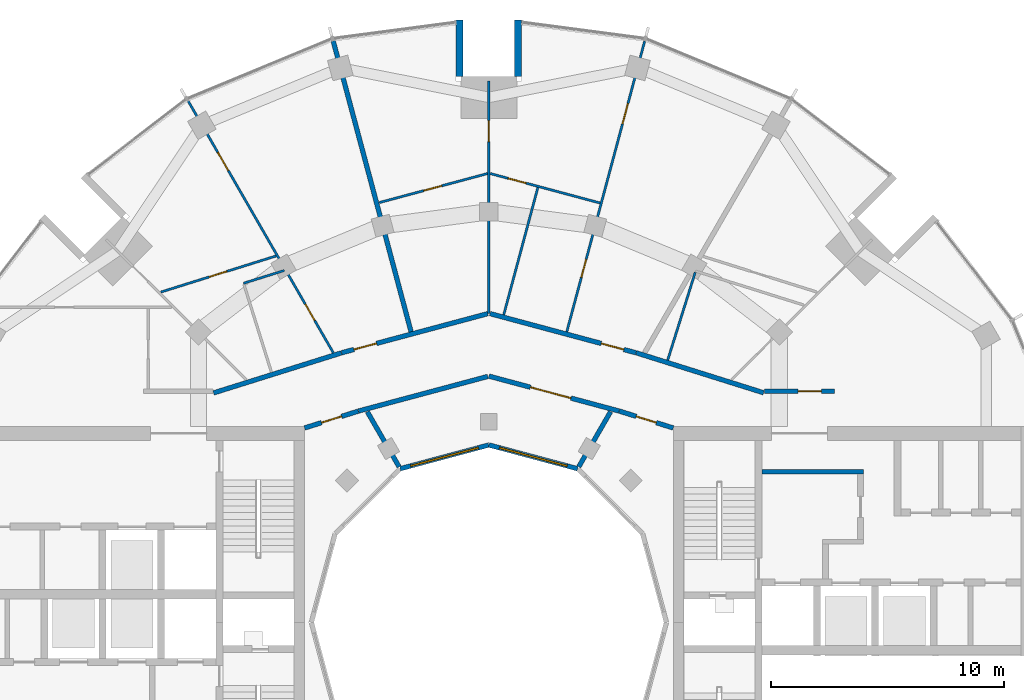
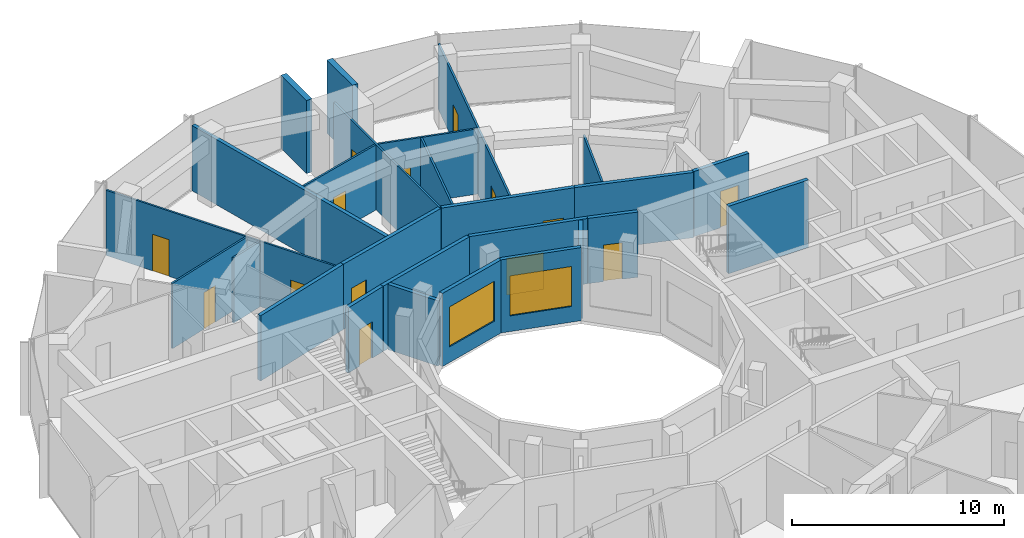
# One storey, part 12 of 15: 26 walls, 14 doors, 2 windows, 16 openings.
"""IFC4 building model written with IfcOpenShell, lengths in metres."""

from ifc_helpers import new_model, si_unit, direction, frame, frame_2d, origin, place, context, subcontext, project, spatial, rectangle, extrude, material, layer, layer_set, type_object, element, fill, save


model = new_model("IFC4")

# Units and contexts
model_context = context("Model", 3, precision=1e-05, world=origin(), true_north=direction((0.0, 1.0)))
body_context = subcontext(model_context, "Body", "Model", "MODEL_VIEW")
ifc_project = project(units=[si_unit("LENGTHUNIT", "METRE"), si_unit("AREAUNIT", "SQUARE_METRE"), si_unit("VOLUMEUNIT", "CUBIC_METRE"), si_unit("PLANEANGLEUNIT", "RADIAN"), si_unit("MASSUNIT", "GRAM", prefix="KILO")], contexts=[model_context])

# Site, building, storey
site_placement = place(None, origin())
site = spatial("IfcSite", under=ifc_project, at=site_placement, CompositionType="ELEMENT")
building_placement = place(site_placement, origin())
building = spatial("IfcBuilding", under=site, at=building_placement, Name="Torre Brocal", CompositionType="ELEMENT")
storey_placement = place(building_placement, frame((0.0, 0.0, 249.89990234375)))
storey = spatial("IfcBuildingStorey", under=building, at=storey_placement, Name="L57", CompositionType="ELEMENT", Elevation=249.89990234375)

# Walls
ifc_material_1 = material(Name="Concrete C60", Category="concrete")
ifc_layer_1 = layer(ifc_material_1, 0.199951171875)
ifc_layer_set_1 = layer_set([ifc_layer_1], Name="Concrete C60")
wall_type_1 = type_object("IfcWallType", Name="CORE WALL 200 C60", PredefinedType="SHEAR", material=ifc_layer_set_1)
wall_1_placement = place(storey_placement, frame((91.699951171875, 81.449951171875, 0.0), z_axis=(0.0, 0.0, 1.0), x_axis=(1.0, 0.0, 0.0)))
element("IfcWall", 1, at=wall_1_placement, inside=storey, type_object=wall_type_1, Name="Wall CW200-60", PredefinedType="SHEAR", context=body_context, shape_type="SweptSolid", body=[
    extrude(rectangle(XDim=4.35009765625, YDim=0.199951171875, at=frame_2d((2.175048828125, 0.0))), origin(), (0.0, 0.0, 1.0), 3.880126953125),
])
ifc_material_2 = material(Name="Concrete C60", Category="concrete")
ifc_layer_2 = layer(ifc_material_2, 0.300048828125)
ifc_layer_set_2 = layer_set([ifc_layer_2], Name="Concrete C60")
wall_type_2 = type_object("IfcWallType", Name="NOTCH RETURN WALL 300 C60", PredefinedType="NOTDEFINED", material=ifc_layer_set_2)
for number, where, z_axis, x_axis, name in (
    (2, (81.25, 98.39990234375, 0.0), (0.0, 0.0, 1.0), (0.0, 1.0, 0.0), "NOTCH RETURN WALL"),
    (3, (78.75, 98.39990234375, 0.0), (0.0, 0.0, 1.0), (0.0, 1.0, 0.0), "NOTCH RETURN WALL"),
):
    element("IfcWall", number, at=place(storey_placement, frame(where, z_axis=z_axis, x_axis=x_axis)), inside=storey, type_object=wall_type_2, Name=name, PredefinedType="NOTDEFINED", context=body_context, shape_type="SweptSolid", body=[
        extrude(rectangle(XDim=2.415771484375, YDim=0.300048828125, at=frame_2d((1.2080078125, 0.0))), origin(), (0.0, 0.0, 1.0), 4.2001953125),
    ])

# Wall, opening, door
ifc_material_3 = material(Name="Gypsum board", Category="Gypsum")
ifc_layer_3 = layer(ifc_material_3, 0.10009765625)
ifc_layer_set_3 = layer_set([ifc_layer_3], Name="Gypsum board")
wall_type_3 = type_object("IfcWallType", Name="PARTITION 100", PredefinedType="PARTITIONING", material=ifc_layer_set_3)
wall_2_placement = place(storey_placement, frame((65.9443359375, 89.156982421875, 0.0), z_axis=(0.0, 0.0, 1.0), x_axis=(0.954238484697, 0.299046675828, 0.0)))
wall_2 = element("IfcWall", 4, at=wall_2_placement, inside=storey, type_object=wall_type_3, Name="BATHROOM WALL", PredefinedType="PARTITIONING", context=body_context, shape_type="SweptSolid", body=[
    extrude(rectangle(XDim=5.16943359375, YDim=0.10009765625, at=frame_2d((2.584716796875, 0.0))), origin(), (0.0, 0.0, 1.0), 3.75),
])
opening_1_placement = place(wall_2_placement, frame((2.169921875, 0.0, 0.0)))
opening_1 = element("IfcOpeningElement", 5, at=opening_1_placement, cuts=wall_2, Name="Opening B04-D13", PredefinedType="OPENING", context=body_context, shape_type="SweptSolid", body=[
    extrude(rectangle(XDim=0.800048828125, YDim=2.10009765625, at=frame_2d((0.39990234375, 1.050048828125))), frame((0.0, 0.06005859375, 0.0), z_axis=(0.0, -1.0, 0.0), x_axis=(1.0, 0.0, 0.0)), (0.0, 0.0, 1.0), 0.1201171875),
])
ifc_material_4 = material(Name="Timber", Category="wood")
door_type_1 = type_object("IfcDoorType", Name="BATHROOM DOOR 800X2100", OperationType="SINGLE_SWING_LEFT", PredefinedType="DOOR", material=ifc_material_4)
door_1_placement = place(opening_1_placement, frame((0.800048828125, 0.0, 0.0), z_axis=(0.0, 0.0, 1.0), x_axis=(-1.0, 0.0, 0.0)))
door_1 = element("IfcDoor", 6, at=door_1_placement, inside=storey, type_object=door_type_1, Name="B04-D13", OperationType="SINGLE_SWING_RIGHT", OverallHeight=2.10009765625, OverallWidth=0.800048828125, PredefinedType="DOOR", context=body_context, shape_type="SweptSolid", body=[
    extrude(rectangle(XDim=0.800048828125, YDim=2.10009765625, at=frame_2d((0.39990234375, 1.050048828125))), frame((0.0, 0.02490234375, 0.0), z_axis=(0.0, -1.0, 0.0), x_axis=(1.0, 0.0, 0.0)), (0.0, 0.0, 1.0), 0.050048828125),
])
fill(opening_1, door_1)

# Wall, openings, doors
wall_3_placement = place(storey_placement, frame((67.110595703125, 97.3466796875, 0.0), z_axis=(0.0, 0.0, 1.0), x_axis=(0.499428303955, -0.866355221147, 0.0)))
wall_3 = element("IfcWall", 7, at=wall_3_placement, inside=storey, type_object=wall_type_3, Name="BATHROOM WALL", PredefinedType="PARTITIONING", context=body_context, shape_type="SweptSolid", body=[
    extrude(rectangle(XDim=12.45556640625, YDim=0.10009765625, at=frame_2d((6.227783203125, 0.0))), origin(), (0.0, 0.0, 1.0), 3.75),
])
opening_2_placement = place(wall_3_placement, frame((2.5380859375, 0.0, 0.0)))
opening_2 = element("IfcOpeningElement", 8, at=opening_2_placement, cuts=wall_3, Name="Opening B04-D12", PredefinedType="OPENING", context=body_context, shape_type="SweptSolid", body=[
    extrude(rectangle(XDim=0.89990234375, YDim=2.10009765625, at=frame_2d((0.449951171875, 1.050048828125))), frame((0.0, 0.06005859375, 0.0), z_axis=(0.0, -1.0, 0.0), x_axis=(1.0, 0.0, 0.0)), (0.0, 0.0, 1.0), 0.1201171875),
])
opening_3_placement = place(wall_3_placement, frame((10.054931640625, 0.0, 0.0)))
opening_3 = element("IfcOpeningElement", 9, at=opening_3_placement, cuts=wall_3, Name="Opening B04-D14", PredefinedType="OPENING", context=body_context, shape_type="SweptSolid", body=[
    extrude(rectangle(XDim=0.800048828125, YDim=2.10009765625, at=frame_2d((0.39990234375, 1.050048828125))), frame((0.0, 0.06005859375, 0.0), z_axis=(0.0, -1.0, 0.0), x_axis=(1.0, 0.0, 0.0)), (0.0, 0.0, 1.0), 0.1201171875),
])
door_2_placement = place(opening_3_placement, frame((0.800048828125, 0.0, 0.0), z_axis=(0.0, 0.0, 1.0), x_axis=(-1.0, 0.0, 0.0)))
door_2 = element("IfcDoor", 10, at=door_2_placement, inside=storey, type_object=door_type_1, Name="B04-D14", OperationType="SINGLE_SWING_LEFT", OverallHeight=2.10009765625, OverallWidth=0.800048828125, PredefinedType="DOOR", context=body_context, shape_type="SweptSolid", body=[
    extrude(rectangle(XDim=0.800048828125, YDim=2.10009765625, at=frame_2d((0.39990234375, 1.050048828125))), frame((0.0, 0.02490234375, 0.0), z_axis=(0.0, -1.0, 0.0), x_axis=(1.0, 0.0, 0.0)), (0.0, 0.0, 1.0), 0.050048828125),
])
fill(opening_3, door_2)
ifc_material_5 = material(Name="Timber", Category="wood")
door_type_2 = type_object("IfcDoorType", Name="ROOM DOOR 900X2100", OperationType="SINGLE_SWING_LEFT", PredefinedType="DOOR", material=ifc_material_5)
door_3_placement = place(opening_2_placement, frame((0.89990234375, 0.0, 0.0), z_axis=(0.0, 0.0, 1.0), x_axis=(-1.0, 0.0, 0.0)))
door_3 = element("IfcDoor", 11, at=door_3_placement, inside=storey, type_object=door_type_2, Name="B04-D12", OperationType="SINGLE_SWING_RIGHT", OverallHeight=2.10009765625, OverallWidth=0.89990234375, PredefinedType="DOOR", context=body_context, shape_type="SweptSolid", body=[
    extrude(rectangle(XDim=0.89990234375, YDim=2.10009765625, at=frame_2d((0.449951171875, 1.050048828125))), frame((0.0, 0.02490234375, 0.0), z_axis=(0.0, -1.0, 0.0), x_axis=(1.0, 0.0, 0.0)), (0.0, 0.0, 1.0), 0.050048828125),
])
fill(opening_2, door_3)

# Wall
wall_4_placement = place(storey_placement, frame((69.486083984375, 89.533935546875, 0.0), z_axis=(0.0, 0.0, 1.0), x_axis=(0.954254575134, 0.298995327449, 0.0)))
element("IfcWall", 12, at=wall_4_placement, inside=storey, type_object=wall_type_3, Name="BATHROOM WALL", PredefinedType="PARTITIONING", context=body_context, shape_type="SweptSolid", body=[
    extrude(rectangle(XDim=1.8330078125, YDim=0.10009765625, at=frame_2d((0.91650390625, 0.0))), origin(), (0.0, 0.0, 1.0), 3.75),
])

# Wall, opening, door
wall_5_placement = place(storey_placement, frame((75.294189453125, 92.988525390625, 0.0), z_axis=(0.0, 0.0, 1.0), x_axis=(0.965836333205, 0.259152807165, 0.0)))
wall_5 = element("IfcWall", 13, at=wall_5_placement, inside=storey, type_object=wall_type_3, Name="BATHROOM WALL", PredefinedType="PARTITIONING", context=body_context, shape_type="SweptSolid", body=[
    extrude(rectangle(XDim=4.81201171875, YDim=0.10009765625, at=frame_2d((2.406005859375, 0.0))), origin(), (0.0, 0.0, 1.0), 3.75),
])
opening_4_placement = place(wall_5_placement, frame((1.981201171875, 0.0, 0.0)))
opening_4 = element("IfcOpeningElement", 14, at=opening_4_placement, cuts=wall_5, Name="Opening B04-D10", PredefinedType="OPENING", context=body_context, shape_type="SweptSolid", body=[
    extrude(rectangle(XDim=0.800048828125, YDim=2.10009765625, at=frame_2d((0.39990234375, 1.050048828125))), frame((0.0, 0.06005859375, 0.0), z_axis=(0.0, -1.0, 0.0), x_axis=(1.0, 0.0, 0.0)), (0.0, 0.0, 1.0), 0.1201171875),
])
door_4_placement = place(opening_4_placement, frame((0.800048828125, 0.0, 0.0), z_axis=(0.0, 0.0, 1.0), x_axis=(-1.0, 0.0, 0.0)))
door_4 = element("IfcDoor", 15, at=door_4_placement, inside=storey, type_object=door_type_1, Name="B04-D10", OperationType="SINGLE_SWING_LEFT", OverallHeight=2.10009765625, OverallWidth=0.800048828125, PredefinedType="DOOR", context=body_context, shape_type="SweptSolid", body=[
    extrude(rectangle(XDim=0.800048828125, YDim=2.10009765625, at=frame_2d((0.39990234375, 1.050048828125))), frame((0.0, 0.02490234375, 0.0), z_axis=(0.0, -1.0, 0.0), x_axis=(1.0, 0.0, 0.0)), (0.0, 0.0, 1.0), 0.050048828125),
])
fill(opening_4, door_4)

wall_6_placement = place(storey_placement, frame((80.0, 88.24609375, 0.0), z_axis=(0.0, 0.0, 1.0), x_axis=(0.0, 1.0, 0.0)))
wall_6 = element("IfcWall", 16, at=wall_6_placement, inside=storey, type_object=wall_type_3, Name="BATHROOM WALL", PredefinedType="PARTITIONING", context=body_context, shape_type="SweptSolid", body=[
    extrude(rectangle(XDim=9.953857421875, YDim=0.10009765625, at=frame_2d((4.97705078125, 0.0))), origin(), (0.0, 0.0, 1.0), 3.75),
])
opening_5_placement = place(wall_6_placement, frame((7.3544921875, 0.0, 0.0)))
opening_5 = element("IfcOpeningElement", 17, at=opening_5_placement, cuts=wall_6, Name="Opening B04-D09", PredefinedType="OPENING", context=body_context, shape_type="SweptSolid", body=[
    extrude(rectangle(XDim=0.89990234375, YDim=2.10009765625, at=frame_2d((0.449951171875, 1.050048828125))), frame((0.0, 0.06005859375, 0.0), z_axis=(0.0, -1.0, 0.0), x_axis=(1.0, 0.0, 0.0)), (0.0, 0.0, 1.0), 0.1201171875),
])
door_5_placement = place(opening_5_placement, origin())
door_5 = element("IfcDoor", 18, at=door_5_placement, inside=storey, type_object=door_type_2, Name="B04-D09", OperationType="SINGLE_SWING_LEFT", OverallHeight=2.10009765625, OverallWidth=0.89990234375, PredefinedType="DOOR", context=body_context, shape_type="SweptSolid", body=[
    extrude(rectangle(XDim=0.89990234375, YDim=2.10009765625, at=frame_2d((0.449951171875, 1.050048828125))), frame((0.0, 0.02490234375, 0.0), z_axis=(0.0, -1.0, 0.0), x_axis=(1.0, 0.0, 0.0)), (0.0, 0.0, 1.0), 0.050048828125),
])
fill(opening_5, door_5)

wall_7_placement = place(storey_placement, frame((80.057861328125, 94.2353515625, 0.0), z_axis=(0.0, 0.0, 1.0), x_axis=(0.965831212389, -0.259171891173, 0.0)))
wall_7 = element("IfcWall", 19, at=wall_7_placement, inside=storey, type_object=wall_type_3, Name="BATHROOM WALL", PredefinedType="PARTITIONING", context=body_context, shape_type="SweptSolid", body=[
    extrude(rectangle(XDim=4.8720703125, YDim=0.10009765625, at=frame_2d((2.43603515625, 0.0))), origin(), (0.0, 0.0, 1.0), 3.75),
])
opening_6_placement = place(wall_7_placement, frame((0.79150390625, 0.0, 0.0)))
opening_6 = element("IfcOpeningElement", 20, at=opening_6_placement, cuts=wall_7, Name="Opening B04-D07", PredefinedType="OPENING", context=body_context, shape_type="SweptSolid", body=[
    extrude(rectangle(XDim=0.800048828125, YDim=2.10009765625, at=frame_2d((0.39990234375, 1.050048828125))), frame((0.0, 0.06005859375, 0.0), z_axis=(0.0, -1.0, 0.0), x_axis=(1.0, 0.0, 0.0)), (0.0, 0.0, 1.0), 0.1201171875),
])
door_6_placement = place(opening_6_placement, frame((0.800048828125, 0.0, 0.0), z_axis=(0.0, 0.0, 1.0), x_axis=(-1.0, 0.0, 0.0)))
door_6 = element("IfcDoor", 21, at=door_6_placement, inside=storey, type_object=door_type_1, Name="B04-D07", OperationType="SINGLE_SWING_LEFT", OverallHeight=2.10009765625, OverallWidth=0.800048828125, PredefinedType="DOOR", context=body_context, shape_type="SweptSolid", body=[
    extrude(rectangle(XDim=0.800048828125, YDim=2.10009765625, at=frame_2d((0.39990234375, 1.050048828125))), frame((0.0, 0.02490234375, 0.0), z_axis=(0.0, -1.0, 0.0), x_axis=(1.0, 0.0, 0.0)), (0.0, 0.0, 1.0), 0.050048828125),
])
fill(opening_6, door_6)

# Wall
wall_8_placement = place(storey_placement, frame((80.635009765625, 88.179443359375, 0.0), z_axis=(0.0, 0.0, 1.0), x_axis=(0.258942728312, 0.965892676986, 0.0)))
element("IfcWall", 22, at=wall_8_placement, inside=storey, type_object=wall_type_3, Name="BATHROOM WALL", PredefinedType="PARTITIONING", context=body_context, shape_type="SweptSolid", body=[
    extrude(rectangle(XDim=5.6494140625, YDim=0.10009765625, at=frame_2d((2.82470703125, 0.0))), origin(), (0.0, 0.0, 1.0), 3.75),
])

# Wall, openings, doors
wall_9_placement = place(storey_placement, frame((83.337646484375, 87.455078125, 0.0), z_axis=(0.0, 0.0, 1.0), x_axis=(0.25886596283, 0.965913253501, 0.0)))
wall_9 = element("IfcWall", 23, at=wall_9_placement, inside=storey, type_object=wall_type_3, Name="BATHROOM WALL", PredefinedType="PARTITIONING", context=body_context, shape_type="SweptSolid", body=[
    extrude(rectangle(XDim=12.90380859375, YDim=0.10009765625, at=frame_2d((6.451904296875, 0.0))), origin(), (0.0, 0.0, 1.0), 3.75),
])
opening_7_placement = place(wall_9_placement, frame((9.2265625, 0.0, 0.0)))
opening_7 = element("IfcOpeningElement", 24, at=opening_7_placement, cuts=wall_9, Name="Opening B04-D06", PredefinedType="OPENING", context=body_context, shape_type="SweptSolid", body=[
    extrude(rectangle(XDim=0.89990234375, YDim=2.10009765625, at=frame_2d((0.449951171875, 1.050048828125))), frame((0.0, 0.06005859375, 0.0), z_axis=(0.0, -1.0, 0.0), x_axis=(1.0, 0.0, 0.0)), (0.0, 0.0, 1.0), 0.1201171875),
])
opening_8_placement = place(wall_9_placement, frame((2.4091796875, 0.0, 0.0)))
opening_8 = element("IfcOpeningElement", 25, at=opening_8_placement, cuts=wall_9, Name="Opening B04-D08", PredefinedType="OPENING", context=body_context, shape_type="SweptSolid", body=[
    extrude(rectangle(XDim=0.800048828125, YDim=2.10009765625, at=frame_2d((0.39990234375, 1.050048828125))), frame((0.0, 0.06005859375, 0.0), z_axis=(0.0, -1.0, 0.0), x_axis=(1.0, 0.0, 0.0)), (0.0, 0.0, 1.0), 0.1201171875),
])
door_7_placement = place(opening_8_placement, origin())
door_7 = element("IfcDoor", 26, at=door_7_placement, inside=storey, type_object=door_type_1, Name="B04-D08", OperationType="SINGLE_SWING_RIGHT", OverallHeight=2.10009765625, OverallWidth=0.800048828125, PredefinedType="DOOR", context=body_context, shape_type="SweptSolid", body=[
    extrude(rectangle(XDim=0.800048828125, YDim=2.10009765625, at=frame_2d((0.39990234375, 1.050048828125))), frame((0.0, 0.02490234375, 0.0), z_axis=(0.0, -1.0, 0.0), x_axis=(1.0, 0.0, 0.0)), (0.0, 0.0, 1.0), 0.050048828125),
])
fill(opening_8, door_7)
door_8_placement = place(opening_7_placement, frame((0.89990234375, 0.0, 0.0), z_axis=(0.0, 0.0, 1.0), x_axis=(-1.0, 0.0, 0.0)))
door_8 = element("IfcDoor", 27, at=door_8_placement, inside=storey, type_object=door_type_2, Name="B04-D06", OperationType="SINGLE_SWING_LEFT", OverallHeight=2.10009765625, OverallWidth=0.89990234375, PredefinedType="DOOR", context=body_context, shape_type="SweptSolid", body=[
    extrude(rectangle(XDim=0.89990234375, YDim=2.10009765625, at=frame_2d((0.449951171875, 1.050048828125))), frame((0.0, 0.02490234375, 0.0), z_axis=(0.0, -1.0, 0.0), x_axis=(1.0, 0.0, 0.0)), (0.0, 0.0, 1.0), 0.050048828125),
])
fill(opening_7, door_8)

# Walls
wall_10_placement = place(storey_placement, frame((87.660888671875, 86.236328125, 0.0), z_axis=(0.0, 0.0, 1.0), x_axis=(0.299267255743, 0.954169329648, 0.0)))
element("IfcWall", 28, at=wall_10_placement, inside=storey, type_object=wall_type_3, Name="BATHROOM WALL", PredefinedType="PARTITIONING", context=body_context, shape_type="SweptSolid", body=[
    extrude(rectangle(XDim=3.9501953125, YDim=0.10009765625, at=frame_2d((1.97509765625, 0.0))), origin(), (0.0, 0.0, 1.0), 3.75),
])
ifc_material_6 = material(Name="Gypsum board", Category="Gypsum")
ifc_layer_4 = layer(ifc_material_6, 0.199951171875)
ifc_layer_set_4 = layer_set([ifc_layer_4], Name="Gypsum board")
wall_type_4 = type_object("IfcWallType", Name="PARTITION 200 EI60", PredefinedType="PARTITIONING", material=ifc_layer_set_4)
wall_11_placement = place(storey_placement, frame((68.19970703125, 84.833740234375, 0.0), z_axis=(0.0, 0.0, 1.0), x_axis=(0.954260265251, 0.298977166624, 0.0)))
element("IfcWall", 29, at=wall_11_placement, inside=storey, type_object=wall_type_4, Name="FLAT ENTRANCE WALL", PredefinedType="PARTITIONING", context=body_context, shape_type="SweptSolid", body=[
    extrude(rectangle(XDim=5.74072265625, YDim=0.199951171875, at=frame_2d((2.870361328125, 0.0))), origin(), (0.0, 0.0, 1.0), 3.75),
])

# Wall, opening, door
wall_12_placement = place(storey_placement, frame((72.10009765625, 83.33203125, 0.0), z_axis=(0.0, 0.0, 1.0), x_axis=(0.954233106619, 0.299063836383, 0.0)))
wall_12 = element("IfcWall", 30, at=wall_12_placement, inside=storey, type_object=wall_type_4, Name="CORRIDOR WALL", PredefinedType="PARTITIONING", context=body_context, shape_type="SweptSolid", body=[
    extrude(rectangle(XDim=2.4140625, YDim=0.199951171875, at=frame_2d((1.20703125, 0.0))), origin(), (0.0, 0.0, 1.0), 3.75),
])
opening_9_placement = place(wall_12_placement, frame((0.761962890625, 0.0, 0.0)))
opening_9 = element("IfcOpeningElement", 31, at=opening_9_placement, cuts=wall_12, Name="Opening B04-D20", PredefinedType="OPENING", context=body_context, shape_type="SweptSolid", body=[
    extrude(rectangle(XDim=0.89990234375, YDim=2.10009765625, at=frame_2d((0.449951171875, 1.050048828125))), frame((0.0, 0.10986328125, 0.0), z_axis=(0.0, -1.0, 0.0), x_axis=(1.0, 0.0, 0.0)), (0.0, 0.0, 1.0), 0.219970703125),
])
door_9_placement = place(opening_9_placement, frame((0.89990234375, 0.0, 0.0), z_axis=(0.0, 0.0, 1.0), x_axis=(-1.0, 0.0, 0.0)))
door_9 = element("IfcDoor", 32, at=door_9_placement, inside=storey, type_object=door_type_2, Name="B04-D20", OperationType="SINGLE_SWING_RIGHT", OverallHeight=2.10009765625, OverallWidth=0.89990234375, PredefinedType="DOOR", context=body_context, shape_type="SweptSolid", body=[
    extrude(rectangle(XDim=0.89990234375, YDim=2.10009765625, at=frame_2d((0.449951171875, 1.050048828125))), frame((0.0, 0.02490234375, 0.0), z_axis=(0.0, -1.0, 0.0), x_axis=(1.0, 0.0, 0.0)), (0.0, 0.0, 1.0), 0.050048828125),
])
fill(opening_9, door_9)

# Wall
wall_13_placement = place(storey_placement, frame((73.326904296875, 99.92041015625, 0.0), z_axis=(0.0, 0.0, 1.0), x_axis=(0.258652861824, -0.965970339643, 0.0)))
element("IfcWall", 33, at=wall_13_placement, inside=storey, type_object=wall_type_4, Name="BATHROOM WALL", PredefinedType="PARTITIONING", context=body_context, shape_type="SweptSolid", body=[
    extrude(rectangle(XDim=12.904052734375, YDim=0.199951171875, at=frame_2d((6.4521484375, 0.0))), origin(), (0.0, 0.0, 1.0), 3.75),
])

# Wall, opening, door
wall_14_placement = place(storey_placement, frame((73.68701171875, 86.55419921875, 0.0), z_axis=(0.0, 0.0, 1.0), x_axis=(0.965961994098, 0.258684027257, 0.0)))
wall_14 = element("IfcWall", 34, at=wall_14_placement, inside=storey, type_object=wall_type_4, Name="FLAT ENTRANCE WALL", PredefinedType="PARTITIONING", context=body_context, shape_type="SweptSolid", body=[
    extrude(rectangle(XDim=6.485595703125, YDim=0.199951171875, at=frame_2d((3.24267578125, 0.0))), origin(), (0.0, 0.0, 1.0), 3.75),
])
opening_10_placement = place(wall_14_placement, frame((0.550048828125, 0.0, 0.0)))
opening_10 = element("IfcOpeningElement", 35, at=opening_10_placement, cuts=wall_14, Name="Opening B04-D11", PredefinedType="OPENING", context=body_context, shape_type="SweptSolid", body=[
    extrude(rectangle(XDim=1.0, YDim=2.10009765625, at=frame_2d((0.5, 1.050048828125))), frame((0.0, 0.10986328125, 0.0), z_axis=(0.0, -1.0, 0.0), x_axis=(1.0, 0.0, 0.0)), (0.0, 0.0, 1.0), 0.219970703125),
])
ifc_material_7 = material(Name="Timber", Category="wood")
door_type_3 = type_object("IfcDoorType", Name="FLAT ENTRY DOOR FD30S 1000X2100", OperationType="SINGLE_SWING_RIGHT", PredefinedType="DOOR", material=ifc_material_7)
door_10_placement = place(opening_10_placement, origin())
door_10 = element("IfcDoor", 36, at=door_10_placement, inside=storey, type_object=door_type_3, Name="B04-D11", OperationType="SINGLE_SWING_LEFT", OverallHeight=2.10009765625, OverallWidth=1.0, PredefinedType="DOOR", context=body_context, shape_type="SweptSolid", body=[
    extrude(rectangle(XDim=1.0, YDim=2.10009765625, at=frame_2d((0.5, 1.050048828125))), frame((0.0, 0.02490234375, 0.0), z_axis=(0.0, -1.0, 0.0), x_axis=(1.0, 0.0, 0.0)), (0.0, 0.0, 1.0), 0.050048828125),
])
fill(opening_10, door_10)

# Walls
wall_15_placement = place(storey_placement, frame((74.412841796875, 84.05712890625, 0.0), z_axis=(0.0, 0.0, 1.0), x_axis=(0.965970849692, 0.258650956976, 0.0)))
element("IfcWall", 37, at=wall_15_placement, inside=storey, type_object=wall_type_4, Name="CORRIDOR WALL", PredefinedType="PARTITIONING", context=body_context, shape_type="SweptSolid", body=[
    extrude(rectangle(XDim=5.734130859375, YDim=0.199951171875, at=frame_2d((2.8671875, 0.0))), origin(), (0.0, 0.0, 1.0), 3.75),
])
wall_16_placement = place(storey_placement, frame((74.78955078125, 84.0283203125, 0.0), z_axis=(0.0, 0.0, 1.0), x_axis=(0.499859501914, -0.866106505198, 0.0)))
element("IfcWall", 38, at=wall_16_placement, inside=storey, type_object=wall_type_4, Name="SERVICE ROOM WALL", PredefinedType="PARTITIONING", context=body_context, shape_type="SweptSolid", body=[
    extrude(rectangle(XDim=2.724365234375, YDim=0.199951171875, at=frame_2d((1.3623046875, 0.0))), origin(), (0.0, 0.0, 1.0), 3.75),
])

# Wall, opening, door
wall_17_placement = place(storey_placement, frame((80.0, 85.55419921875, 0.0), z_axis=(0.0, 0.0, 1.0), x_axis=(0.965894438951, -0.258936155845, 0.0)))
wall_17 = element("IfcWall", 39, at=wall_17_placement, inside=storey, type_object=wall_type_4, Name="CORRIDOR WALL", PredefinedType="PARTITIONING", context=body_context, shape_type="SweptSolid", body=[
    extrude(rectangle(XDim=5.774169921875, YDim=0.199951171875, at=frame_2d((2.88720703125, 0.0))), origin(), (0.0, 0.0, 1.0), 3.75),
])
opening_11_placement = place(wall_17_placement, frame((1.84130859375, 0.0, 0.0)))
opening_11 = element("IfcOpeningElement", 40, at=opening_11_placement, cuts=wall_17, Name="Opening B04-D19", PredefinedType="OPENING", context=body_context, shape_type="SweptSolid", body=[
    extrude(rectangle(XDim=1.800048828125, YDim=2.10009765625, at=frame_2d((0.89990234375, 1.050048828125))), frame((0.0, 0.10986328125, 0.0), z_axis=(0.0, -1.0, 0.0), x_axis=(1.0, 0.0, 0.0)), (0.0, 0.0, 1.0), 0.219970703125),
])
ifc_material_8 = material(Name="Timber", Category="wood")
door_type_4 = type_object("IfcDoorType", Name="DOUBLE DOOR 1800X2100", OperationType="DOUBLE_DOOR_SINGLE_SWING", PredefinedType="DOOR", material=ifc_material_8)
door_11_placement = place(opening_11_placement, frame((1.800048828125, 0.0, 0.0), z_axis=(0.0, 0.0, 1.0), x_axis=(-1.0, 0.0, 0.0)))
door_11 = element("IfcDoor", 41, at=door_11_placement, inside=storey, type_object=door_type_4, Name="B04-D19", OperationType="DOUBLE_DOOR_SINGLE_SWING", OverallHeight=2.10009765625, OverallWidth=1.800048828125, PredefinedType="DOOR", context=body_context, shape_type="SweptSolid", body=[
    extrude(rectangle(XDim=1.800048828125, YDim=2.10009765625, at=frame_2d((0.89990234375, 1.050048828125))), frame((0.0, 0.02490234375, 0.0), z_axis=(0.0, -1.0, 0.0), x_axis=(1.0, 0.0, 0.0)), (0.0, 0.0, 1.0), 0.050048828125),
])
fill(opening_11, door_11)

wall_18_placement = place(storey_placement, frame((80.04833984375, 88.2333984375, 0.0), z_axis=(0.0, 0.0, 1.0), x_axis=(0.965787353661, -0.259335280109, 0.0)))
wall_18 = element("IfcWall", 42, at=wall_18_placement, inside=storey, type_object=wall_type_4, Name="FLAT ENTRANCE WALL", PredefinedType="PARTITIONING", context=body_context, shape_type="SweptSolid", body=[
    extrude(rectangle(XDim=6.47607421875, YDim=0.199951171875, at=frame_2d((3.238037109375, 0.0))), origin(), (0.0, 0.0, 1.0), 3.75),
])
opening_12_placement = place(wall_18_placement, frame((4.935791015625, 0.0, 0.0)))
opening_12 = element("IfcOpeningElement", 43, at=opening_12_placement, cuts=wall_18, Name="Opening B04-D05", PredefinedType="OPENING", context=body_context, shape_type="SweptSolid", body=[
    extrude(rectangle(XDim=1.0, YDim=2.10009765625, at=frame_2d((0.5, 1.050048828125))), frame((0.0, 0.10986328125, 0.0), z_axis=(0.0, -1.0, 0.0), x_axis=(1.0, 0.0, 0.0)), (0.0, 0.0, 1.0), 0.219970703125),
])
door_12_placement = place(opening_12_placement, origin())
door_12 = element("IfcDoor", 44, at=door_12_placement, inside=storey, type_object=door_type_3, Name="B04-D05", OperationType="SINGLE_SWING_RIGHT", OverallHeight=2.10009765625, OverallWidth=1.0, PredefinedType="DOOR", context=body_context, shape_type="SweptSolid", body=[
    extrude(rectangle(XDim=1.0, YDim=2.10009765625, at=frame_2d((0.5, 1.050048828125))), frame((0.0, 0.02490234375, 0.0), z_axis=(0.0, -1.0, 0.0), x_axis=(1.0, 0.0, 0.0)), (0.0, 0.0, 1.0), 0.050048828125),
])
fill(opening_12, door_12)

# Wall
wall_19_placement = place(storey_placement, frame((83.85009765625, 81.667724609375, 0.0), z_axis=(0.0, 0.0, 1.0), x_axis=(0.500099931433, 0.865967700657, 0.0)))
element("IfcWall", 45, at=wall_19_placement, inside=storey, type_object=wall_type_4, Name="PARTY PARTITION", PredefinedType="PARTITIONING", context=body_context, shape_type="SweptSolid", body=[
    extrude(rectangle(XDim=2.724609375, YDim=0.199951171875, at=frame_2d((1.3623046875, 0.0))), origin(), (0.0, 0.0, 1.0), 3.75),
])

# Wall, opening, door
wall_20_placement = place(storey_placement, frame((85.5869140625, 84.056884765625, 0.0), z_axis=(0.0, 0.0, 1.0), x_axis=(0.954239513179, -0.299043393987, 0.0)))
wall_20 = element("IfcWall", 46, at=wall_20_placement, inside=storey, type_object=wall_type_4, Name="CORRIDOR WALL", PredefinedType="PARTITIONING", context=body_context, shape_type="SweptSolid", body=[
    extrude(rectangle(XDim=2.423828125, YDim=0.199951171875, at=frame_2d((1.2119140625, 0.0))), origin(), (0.0, 0.0, 1.0), 3.75),
])
opening_13_placement = place(wall_20_placement, frame((0.761962890625, 0.0, 0.0)))
opening_13 = element("IfcOpeningElement", 47, at=opening_13_placement, cuts=wall_20, Name="Opening B04-D18", PredefinedType="OPENING", context=body_context, shape_type="SweptSolid", body=[
    extrude(rectangle(XDim=0.89990234375, YDim=2.10009765625, at=frame_2d((0.449951171875, 1.050048828125))), frame((0.0, 0.10986328125, 0.0), z_axis=(0.0, -1.0, 0.0), x_axis=(1.0, 0.0, 0.0)), (0.0, 0.0, 1.0), 0.219970703125),
])
door_13_placement = place(opening_13_placement, frame((0.89990234375, 0.0, 0.0), z_axis=(0.0, 0.0, 1.0), x_axis=(-1.0, 0.0, 0.0)))
door_13 = element("IfcDoor", 48, at=door_13_placement, inside=storey, type_object=door_type_2, Name="B04-D18", OperationType="SINGLE_SWING_LEFT", OverallHeight=2.10009765625, OverallWidth=0.89990234375, PredefinedType="DOOR", context=body_context, shape_type="SweptSolid", body=[
    extrude(rectangle(XDim=0.89990234375, YDim=2.10009765625, at=frame_2d((0.449951171875, 1.050048828125))), frame((0.0, 0.02490234375, 0.0), z_axis=(0.0, -1.0, 0.0), x_axis=(1.0, 0.0, 0.0)), (0.0, 0.0, 1.0), 0.050048828125),
])
fill(opening_13, door_13)

# Wall
wall_21_placement = place(storey_placement, frame((86.313232421875, 86.554443359375, 0.0), z_axis=(0.0, 0.0, 1.0), x_axis=(0.954077387881, -0.29956024091, 0.0)))
element("IfcWall", 49, at=wall_21_placement, inside=storey, type_object=wall_type_4, Name="FLAT ENTRANCE WALL", PredefinedType="PARTITIONING", context=body_context, shape_type="SweptSolid", body=[
    extrude(rectangle(XDim=5.720458984375, YDim=0.199951171875, at=frame_2d((2.8603515625, 0.0))), origin(), (0.0, 0.0, 1.0), 3.75),
])

# Wall, opening, door
wall_22_placement = place(storey_placement, frame((91.800048828125, 84.89990234375, 0.0), z_axis=(0.0, 0.0, 1.0), x_axis=(1.0, 0.0, 0.0)))
wall_22 = element("IfcWall", 50, at=wall_22_placement, inside=storey, type_object=wall_type_4, Name="FLAT ENTRANCE WALL", PredefinedType="PARTITIONING", context=body_context, shape_type="SweptSolid", body=[
    extrude(rectangle(XDim=3.0, YDim=0.199951171875, at=frame_2d((1.5, 0.0))), origin(), (0.0, 0.0, 1.0), 3.75),
])
opening_14_placement = place(wall_22_placement, frame((1.449951171875, 0.0, 0.0)))
opening_14 = element("IfcOpeningElement", 51, at=opening_14_placement, cuts=wall_22, Name="Opening B04-D01", PredefinedType="OPENING", context=body_context, shape_type="SweptSolid", body=[
    extrude(rectangle(XDim=1.0, YDim=2.10009765625, at=frame_2d((0.5, 1.050048828125))), frame((0.0, 0.10986328125, 0.0), z_axis=(0.0, -1.0, 0.0), x_axis=(1.0, 0.0, 0.0)), (0.0, 0.0, 1.0), 0.219970703125),
])
door_14_placement = place(opening_14_placement, origin())
door_14 = element("IfcDoor", 52, at=door_14_placement, inside=storey, type_object=door_type_3, Name="B04-D01", OperationType="SINGLE_SWING_LEFT", OverallHeight=2.10009765625, OverallWidth=1.0, PredefinedType="DOOR", context=body_context, shape_type="SweptSolid", body=[
    extrude(rectangle(XDim=1.0, YDim=2.10009765625, at=frame_2d((0.5, 1.050048828125))), frame((0.0, 0.02490234375, 0.0), z_axis=(0.0, -1.0, 0.0), x_axis=(1.0, 0.0, 0.0)), (0.0, 0.0, 1.0), 0.050048828125),
])
fill(opening_14, door_14)

# Wall, opening, window
ifc_material_9 = material(Name="Concrete C40", Category="concrete")
ifc_layer_5 = layer(ifc_material_9, 0.199951171875)
ifc_layer_set_5 = layer_set([ifc_layer_5], Name="Concrete C40")
wall_type_5 = type_object("IfcWallType", Name="WELL FACADE WALL 200", PredefinedType="NOTDEFINED", material=ifc_layer_set_5)
wall_23_placement = place(storey_placement, frame((83.8017578125, 81.5849609375, 0.0), z_axis=(0.0, 0.0, 1.0), x_axis=(-0.965933654434, 0.258789828301, 0.0)))
wall_23 = element("IfcWall", 53, at=wall_23_placement, inside=storey, type_object=wall_type_5, Name="WELL FACADE WALL", PredefinedType="NOTDEFINED", context=body_context, shape_type="SweptSolid", body=[
    extrude(rectangle(XDim=3.935791015625, YDim=0.199951171875, at=frame_2d((1.9677734375, 0.0))), origin(), (0.0, 0.0, 1.0), 4.2001953125),
])
opening_15_placement = place(wall_23_placement, frame((0.468017578125, 0.0, 0.89990234375)))
opening_15 = element("IfcOpeningElement", 54, at=opening_15_placement, cuts=wall_23, Name="Opening W1", PredefinedType="OPENING", context=body_context, shape_type="SweptSolid", body=[
    extrude(rectangle(XDim=3.0, YDim=2.300048828125, at=frame_2d((1.5, 1.14990234375))), frame((0.0, 0.10986328125, 0.0), z_axis=(0.0, -1.0, 0.0), x_axis=(1.0, 0.0, 0.0)), (0.0, 0.0, 1.0), 0.219970703125),
])
ifc_material_10 = material(Name="Aluminium and glass", Category="aluminium")
window_type = type_object("IfcWindowType", Name="WELL WINDOW 3000X2300", PartitioningType="SINGLE_PANEL", PredefinedType="WINDOW", material=ifc_material_10)
window_1_placement = place(opening_15_placement, origin())
window_1 = element("IfcWindow", 55, at=window_1_placement, inside=storey, type_object=window_type, Name="WELL WINDOW 3000X2300", OverallHeight=2.300048828125, OverallWidth=3.0, PartitioningType="SINGLE_PANEL", PredefinedType="WINDOW", context=body_context, shape_type="SweptSolid", body=[
    extrude(rectangle(XDim=3.0, YDim=2.300048828125, at=frame_2d((1.5, 1.14990234375))), frame((0.0, 0.030029296875, 0.0), z_axis=(0.0, -1.0, 0.0), x_axis=(1.0, 0.0, 0.0)), (0.0, 0.0, 1.0), 0.06005859375),
])
fill(opening_15, window_1)

wall_24_placement = place(storey_placement, frame((80.0, 82.603515625, 0.0), z_axis=(0.0, 0.0, 1.0), x_axis=(-0.965933654434, -0.258789828301, 0.0)))
wall_24 = element("IfcWall", 56, at=wall_24_placement, inside=storey, type_object=wall_type_5, Name="WELL FACADE WALL", PredefinedType="NOTDEFINED", context=body_context, shape_type="SweptSolid", body=[
    extrude(rectangle(XDim=3.935791015625, YDim=0.199951171875, at=frame_2d((1.9677734375, 0.0))), origin(), (0.0, 0.0, 1.0), 4.2001953125),
])
opening_16_placement = place(wall_24_placement, frame((0.468017578125, 0.0, 0.89990234375)))
opening_16 = element("IfcOpeningElement", 57, at=opening_16_placement, cuts=wall_24, Name="Opening W1", PredefinedType="OPENING", context=body_context, shape_type="SweptSolid", body=[
    extrude(rectangle(XDim=3.0, YDim=2.300048828125, at=frame_2d((1.5, 1.14990234375))), frame((0.0, 0.10986328125, 0.0), z_axis=(0.0, -1.0, 0.0), x_axis=(1.0, 0.0, 0.0)), (0.0, 0.0, 1.0), 0.219970703125),
])
window_2_placement = place(opening_16_placement, origin())
window_2 = element("IfcWindow", 58, at=window_2_placement, inside=storey, type_object=window_type, Name="WELL WINDOW 3000X2300", OverallHeight=2.300048828125, OverallWidth=3.0, PartitioningType="SINGLE_PANEL", PredefinedType="WINDOW", context=body_context, shape_type="SweptSolid", body=[
    extrude(rectangle(XDim=3.0, YDim=2.300048828125, at=frame_2d((1.5, 1.14990234375))), frame((0.0, 0.030029296875, 0.0), z_axis=(0.0, -1.0, 0.0), x_axis=(1.0, 0.0, 0.0)), (0.0, 0.0, 1.0), 0.06005859375),
])
fill(opening_16, window_2)

save(model, "model.ifc")
